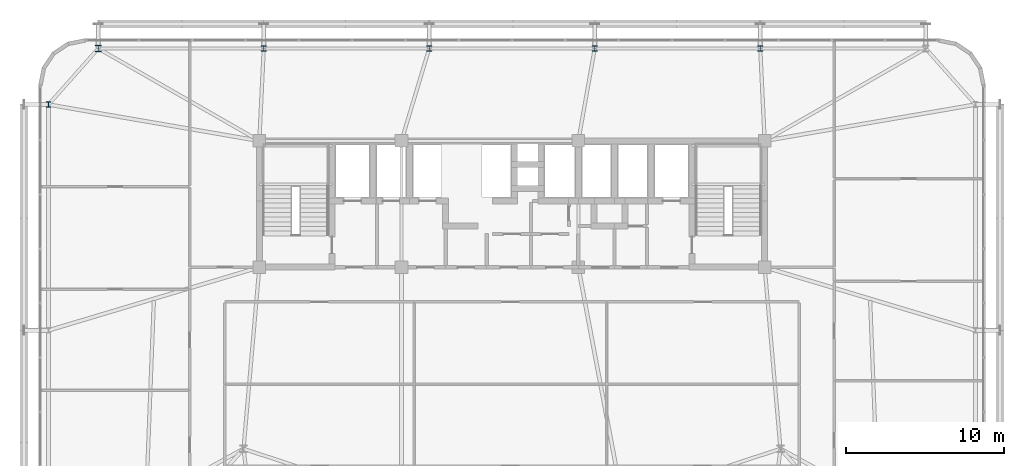
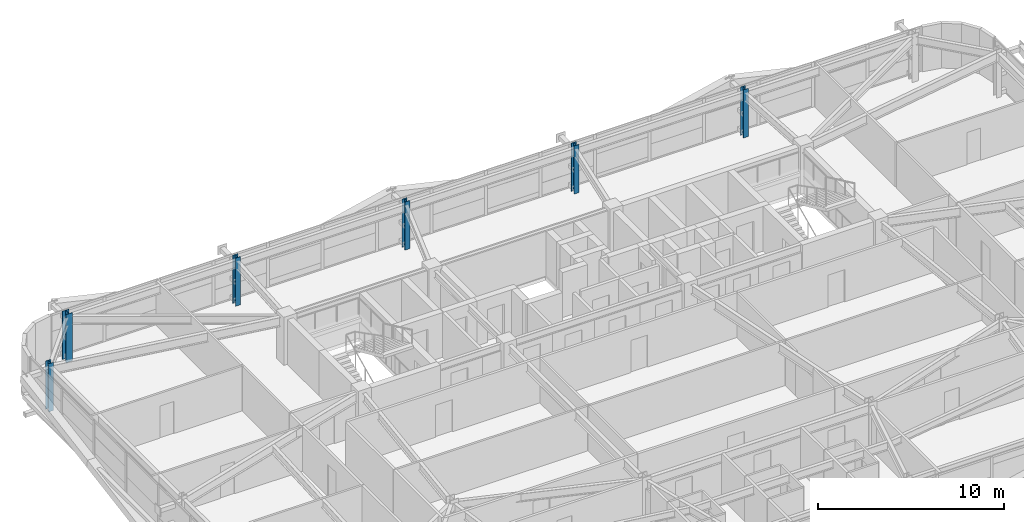
# One storey, part 3 of 59: 6 columns.
"""IFC4 building model written with IfcOpenShell, lengths in metres."""

from ifc_helpers import new_model, si_unit, direction, frame, origin, origin_2d, place, context, subcontext, project, spatial, i_section, extrude, source, transform, mapped, material, material_profile, profile_set, type_object, element, save


model = new_model("IFC4")

# Units and contexts
model_context = context("Model", 3, precision=1e-05, world=origin(), true_north=direction((0.0, 1.0)))
body_context = subcontext(model_context, "Body", "Model", "MODEL_VIEW")
ifc_project = project(units=[si_unit("LENGTHUNIT", "METRE"), si_unit("AREAUNIT", "SQUARE_METRE"), si_unit("VOLUMEUNIT", "CUBIC_METRE"), si_unit("PLANEANGLEUNIT", "RADIAN"), si_unit("MASSUNIT", "GRAM", prefix="KILO")], contexts=[model_context])

# Site, building, storey
site_placement = place(None, origin())
site = spatial("IfcSite", under=ifc_project, at=site_placement, CompositionType="ELEMENT")
building_placement = place(site_placement, origin())
building = spatial("IfcBuilding", under=site, at=building_placement, Name="Taldren Reach Tower", CompositionType="ELEMENT")
storey_placement = place(building_placement, frame((0.0, 0.0, 45.14990234375)))
storey = spatial("IfcBuildingStorey", under=building, at=storey_placement, Name="L13", CompositionType="ELEMENT", Elevation=45.14990234375)

# Columns
ifc_material = material(Name="Steel Gr 350 (350PLUS)", Category="steel")
ifc_material_profile_1 = material_profile(ifc_material, i_section(OverallWidth=0.39990234375, OverallDepth=0.39599609375, WebThickness=0.02197265625, FlangeThickness=0.033935546875, at=origin_2d()), Name="400WC270")
ifc_profile_set_1 = profile_set([ifc_material_profile_1], Name="Steel Gr 350 (350PLUS)")
column_type_1 = type_object("IfcColumnType", Name="COL-WC400", PredefinedType="COLUMN", material=ifc_profile_set_1)
shared_shape_1 = source(origin(), body_context, "Body", "SweptSolid", [
    extrude(i_section(OverallWidth=0.39990234375, OverallDepth=0.39599609375, WebThickness=0.02197265625, FlangeThickness=0.033935546875, at=origin_2d()), origin(), (0.0, 0.0, 1.0), 3.150146484375),
])
column_placement = place(storey_placement, frame((8.800048828125, 37.85009765625, 0.0), z_axis=(0.0, 0.0, 1.0), x_axis=(1.0, 0.0, 0.0)))
element("IfcColumn", 1, at=column_placement, inside=storey, type_object=column_type_1, Name="Block B1 perimeter column N1 L13", PredefinedType="COLUMN", context=body_context, shape_type="MappedRepresentation", body=[
    mapped(shared_shape_1, transform((0.0, 0.0, 0.0), scale=1.0)),
])
ifc_material_profile_2 = material_profile(ifc_material, i_section(OverallWidth=0.31103515625, OverallDepth=0.326904296875, WebThickness=0.015625, FlangeThickness=0.02490234375, at=origin_2d()), Name="310UC158")
ifc_profile_set_2 = profile_set([ifc_material_profile_2], Name="Steel Gr 350 (350PLUS)")
column_type_2 = type_object("IfcColumnType", Name="COL-UC310A", PredefinedType="COLUMN", material=ifc_profile_set_2)
shared_shape_2 = source(origin(), body_context, "Body", "SweptSolid", [
    extrude(i_section(OverallWidth=0.31103515625, OverallDepth=0.326904296875, WebThickness=0.015625, FlangeThickness=0.02490234375, at=origin_2d()), origin(), (0.0, 0.0, 1.0), 3.150146484375),
])
for number, where, z_axis, x_axis, name in (
    (2, (19.280029296875, 37.85009765625, 0.0), (0.0, 0.0, 1.0), (1.0, 0.0, 0.0), "Block B1 perimeter column N2 L13"),
    (3, (29.760009765625, 37.85009765625, 0.0), (0.0, 0.0, 1.0), (1.0, 0.0, 0.0), "Block B1 perimeter column N3 L13"),
    (4, (40.239990234375, 37.85009765625, 0.0), (0.0, 0.0, 1.0), (1.0, 0.0, 0.0), "Block B1 perimeter column N4 L13"),
    (5, (50.719970703125, 37.85009765625, 0.0), (0.0, 0.0, 1.0), (1.0, 0.0, 0.0), "Block B1 perimeter column N5 L13"),
    (6, (5.64990234375, 34.300048828125, 0.0), (0.0, 0.0, 1.0), (1.0, 0.0, 0.0), "Block B1 perimeter column W3 L13"),
):
    element("IfcColumn", number, at=place(storey_placement, frame(where, z_axis=z_axis, x_axis=x_axis)), inside=storey, type_object=column_type_2, Name=name, PredefinedType="COLUMN", context=body_context, shape_type="MappedRepresentation", body=[
        mapped(shared_shape_2, transform((0.0, 0.0, 0.0), scale=1.0)),
    ])

save(model, "model.ifc")
